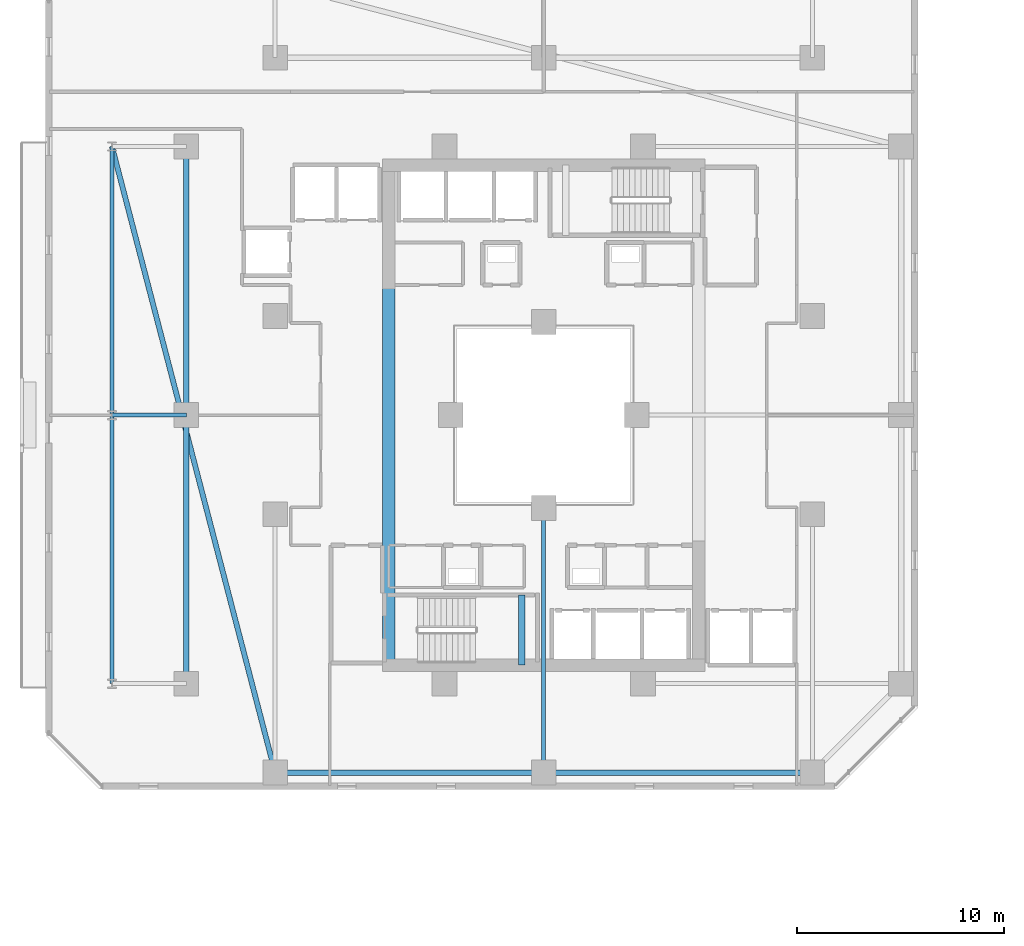
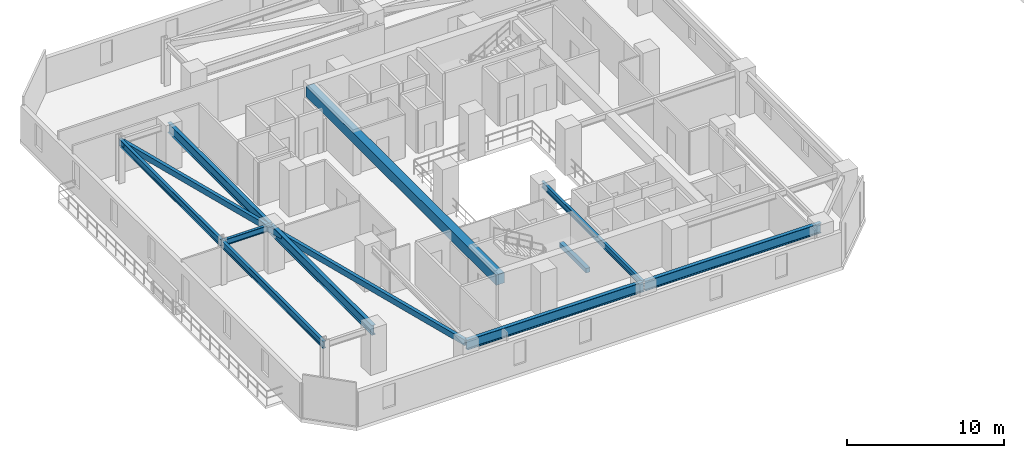
# One storey, part 4 of 33: 11 beams.
"""IFC4 building model written with IfcOpenShell, lengths in metres."""

from ifc_helpers import new_model, si_unit, direction, frame, origin, origin_2d, place, context, subcontext, project, spatial, rectangle, hollow_rectangle, i_section, extrude, material, material_profile, profile_set, type_object, element, save


model = new_model("IFC4")

# Units and contexts
model_context = context("Model", 3, precision=1e-05, world=origin(), true_north=direction((0.0, 1.0)))
body_context = subcontext(model_context, "Body", "Model", "MODEL_VIEW")
ifc_project = project(units=[si_unit("LENGTHUNIT", "METRE"), si_unit("AREAUNIT", "SQUARE_METRE"), si_unit("VOLUMEUNIT", "CUBIC_METRE"), si_unit("PLANEANGLEUNIT", "RADIAN"), si_unit("MASSUNIT", "GRAM", prefix="KILO")], contexts=[model_context])

# Site, building, storey
site_placement = place(None, origin())
site = spatial("IfcSite", under=ifc_project, at=site_placement, CompositionType="ELEMENT")
building_placement = place(site_placement, origin())
building = spatial("IfcBuilding", under=site, at=building_placement, Name="Thornwick Lancets Civic Towers", CompositionType="ELEMENT")
storey_placement = place(building_placement, frame((0.0, 0.0, 101.699951171875)))
storey = spatial("IfcBuildingStorey", under=building, at=storey_placement, Name="L26", CompositionType="ELEMENT", Elevation=101.699951171875)

# Beams
ifc_material_1 = material(Name="Concrete C60/75", Category="concrete")
ifc_material_profile_1 = material_profile(ifc_material_1, rectangle(XDim=0.60009765625, YDim=0.800048828125, at=origin_2d()), Name="RC 600x800")
ifc_profile_set_1 = profile_set([ifc_material_profile_1], Name="Concrete C60/75")
beam_type_1 = type_object("IfcBeamType", Name="BM_COUP_RC800", PredefinedType="BEAM", material=ifc_profile_set_1)
beam_1_placement = place(storey_placement, frame((18.0, 14.89990234375, 2.9599609375), z_axis=(0.0, 1.0, 0.0), x_axis=(-1.0, 0.0, 0.0)))
element("IfcBeam", 1, at=beam_1_placement, inside=storey, type_object=beam_type_1, Name="CB-L26-A2", PredefinedType="BEAM", context=body_context, shape_type="SweptSolid", body=[
    extrude(rectangle(XDim=0.60009765625, YDim=0.800048828125, at=origin_2d()), origin(), (0.0, 0.0, 1.0), 24.2001953125),
])
ifc_material_2 = material(Name="Steel S355JR", Category="steel")
ifc_material_profile_2 = material_profile(ifc_material_2, i_section(OverallWidth=0.2119140625, OverallDepth=0.54443359375, WebThickness=0.0126953125, FlangeThickness=0.021240234375, FilletRadius=0.0126953125, at=origin_2d()), Name="UKB 533x210x122")
ifc_profile_set_2 = profile_set([ifc_material_profile_2], Name="Steel S355JR")
beam_type_2 = type_object("IfcBeamType", Name="BM_EDGE_533_122", PredefinedType="SPANDREL", material=ifc_profile_set_2)
beam_2_placement = place(storey_placement, frame((4.60009765625, 14.0, 3.087890625), z_axis=(0.0, 1.0, 0.0), x_axis=(-1.0, 0.0, 0.0)))
element("IfcBeam", 2, at=beam_2_placement, inside=storey, type_object=beam_type_2, Name="BM-EDGE-L26-A-S3-1", PredefinedType="SPANDREL", context=body_context, shape_type="SweptSolid", body=[
    extrude(i_section(OverallWidth=0.2119140625, OverallDepth=0.54443359375, WebThickness=0.0126953125, FlangeThickness=0.021240234375, FilletRadius=0.0126953125, at=origin_2d()), origin(), (0.0, 0.0, 1.0), 13.0),
])
beam_3_placement = place(storey_placement, frame((4.60009765625, 27.080078125, 3.087890625), z_axis=(0.0, 1.0, 0.0), x_axis=(-1.0, 0.0, 0.0)))
element("IfcBeam", 3, at=beam_3_placement, inside=storey, type_object=beam_type_2, Name="BM-EDGE-L26-A-S3-2", PredefinedType="SPANDREL", context=body_context, shape_type="SweptSolid", body=[
    extrude(i_section(OverallWidth=0.2119140625, OverallDepth=0.54443359375, WebThickness=0.0126953125, FlangeThickness=0.021240234375, FilletRadius=0.0126953125, at=origin_2d()), origin(), (0.0, 0.0, 1.0), 12.919921875),
])
ifc_material_profile_3 = material_profile(ifc_material_2, i_section(OverallWidth=0.26806640625, OverallDepth=0.769775390625, WebThickness=0.015625, FlangeThickness=0.025390625, FilletRadius=0.0166015625, at=origin_2d()), Name="UKB 762x267x197")
ifc_profile_set_3 = profile_set([ifc_material_profile_3], Name="Steel S355JR")
beam_type_3 = type_object("IfcBeamType", Name="BM_GIRD_762_197", PredefinedType="BEAM", material=ifc_profile_set_3)
beam_4_placement = place(storey_placement, frame((12.5, 9.699951171875, 2.97509765625), z_axis=(1.0, 0.0, 0.0), x_axis=(0.0, 1.0, 0.0)))
element("IfcBeam", 4, at=beam_4_placement, inside=storey, type_object=beam_type_3, Name="BM-SPINE-L26-A-0-1", PredefinedType="BEAM", context=body_context, shape_type="SweptSolid", body=[
    extrude(i_section(OverallWidth=0.26806640625, OverallDepth=0.769775390625, WebThickness=0.015625, FlangeThickness=0.025390625, FilletRadius=0.0166015625, at=origin_2d()), origin(), (0.0, 0.0, 1.0), 13.0),
])
beam_5_placement = place(storey_placement, frame((25.580078125, 9.699951171875, 2.97509765625), z_axis=(1.0, 0.0, 0.0), x_axis=(0.0, 1.0, 0.0)))
element("IfcBeam", 5, at=beam_5_placement, inside=storey, type_object=beam_type_3, Name="BM-SPINE-L26-A-1-2", PredefinedType="BEAM", context=body_context, shape_type="SweptSolid", body=[
    extrude(i_section(OverallWidth=0.26806640625, OverallDepth=0.769775390625, WebThickness=0.015625, FlangeThickness=0.025390625, FilletRadius=0.0166015625, at=origin_2d()), origin(), (0.0, 0.0, 1.0), 12.919921875),
])
beam_6_placement = place(storey_placement, frame((8.199951171875, 14.0, 2.97509765625), z_axis=(0.0, 1.0, 0.0), x_axis=(-1.0, 0.0, 0.0)))
element("IfcBeam", 6, at=beam_6_placement, inside=storey, type_object=beam_type_3, Name="BM-SPINE-L26-A-9-10", PredefinedType="BEAM", context=body_context, shape_type="SweptSolid", body=[
    extrude(i_section(OverallWidth=0.26806640625, OverallDepth=0.769775390625, WebThickness=0.015625, FlangeThickness=0.025390625, FilletRadius=0.0166015625, at=origin_2d()), origin(), (0.0, 0.0, 1.0), 13.0),
])
beam_7_placement = place(storey_placement, frame((8.199951171875, 27.080078125, 2.97509765625), z_axis=(0.0, 1.0, 0.0), x_axis=(-1.0, 0.0, 0.0)))
element("IfcBeam", 7, at=beam_7_placement, inside=storey, type_object=beam_type_3, Name="BM-SPINE-L26-A-10-11", PredefinedType="BEAM", context=body_context, shape_type="SweptSolid", body=[
    extrude(i_section(OverallWidth=0.26806640625, OverallDepth=0.769775390625, WebThickness=0.015625, FlangeThickness=0.025390625, FilletRadius=0.0166015625, at=origin_2d()), origin(), (0.0, 0.0, 1.0), 12.919921875),
])
ifc_material_profile_4 = material_profile(ifc_material_2, i_section(OverallWidth=0.19287109375, OverallDepth=0.46728515625, WebThickness=0.011474609375, FlangeThickness=0.01953125, FilletRadius=0.01025390625, at=origin_2d()), Name="UKB 457x191x98")
ifc_profile_set_4 = profile_set([ifc_material_profile_4], Name="Steel S355JR")
beam_type_4 = type_object("IfcBeamType", Name="BM_JOIST_457_98", PredefinedType="JOIST", material=ifc_profile_set_4)
beam_8_placement = place(storey_placement, frame((25.5, 22.5, 3.12646484375), z_axis=(0.0, -1.0, 0.0), x_axis=(1.0, 0.0, 0.0)))
element("IfcBeam", 8, at=beam_8_placement, inside=storey, type_object=beam_type_4, Name="BM-RADIN-L26-A02", PredefinedType="JOIST", context=body_context, shape_type="SweptSolid", body=[
    extrude(i_section(OverallWidth=0.19287109375, OverallDepth=0.46728515625, WebThickness=0.011474609375, FlangeThickness=0.01953125, FilletRadius=0.01025390625, at=origin_2d()), origin(), (0.0, 0.0, 1.0), 12.800048828125),
])
beam_9_placement = place(storey_placement, frame((8.199951171875, 27.0, 3.12646484375), z_axis=(-1.0, 0.0, 0.0), x_axis=(0.0, -1.0, 0.0)))
element("IfcBeam", 9, at=beam_9_placement, inside=storey, type_object=beam_type_4, Name="BM-RAD-L26-A11", PredefinedType="JOIST", context=body_context, shape_type="SweptSolid", body=[
    extrude(i_section(OverallWidth=0.19287109375, OverallDepth=0.46728515625, WebThickness=0.011474609375, FlangeThickness=0.01953125, FilletRadius=0.01025390625, at=origin_2d()), origin(), (0.0, 0.0, 1.0), 3.599853515625),
])
ifc_material_profile_5 = material_profile(ifc_material_2, hollow_rectangle(XDim=0.25, YDim=0.449951171875, WallThickness=0.01611328125, at=origin_2d()), Name="RHS 450x250x16")
ifc_profile_set_5 = profile_set([ifc_material_profile_5], Name="Steel S355JR")
beam_type_5 = type_object("IfcBeamType", Name="BM_RING_RHS450", PredefinedType="BEAM", material=ifc_profile_set_5)
beam_10_placement = place(storey_placement, frame((4.60009765625, 40.0, 3.135009765625), z_axis=(0.252288590311, -0.967652038286, 0.0), x_axis=(0.967652038286, 0.252288590311, 0.0)))
element("IfcBeam", 10, at=beam_10_placement, inside=storey, type_object=beam_type_5, Name="BM-CHAMF-L26-A-C3", PredefinedType="BEAM", context=body_context, shape_type="SweptSolid", body=[
    extrude(hollow_rectangle(XDim=0.25, YDim=0.449951171875, WallThickness=0.01611328125, at=origin_2d()), origin(), (0.0, 0.0, 1.0), 31.31298828125),
])
ifc_material_3 = material(Name="Concrete C40/50", Category="concrete")
ifc_material_profile_6 = material_profile(ifc_material_3, rectangle(XDim=0.300048828125, YDim=0.35009765625, at=origin_2d()), Name="RC 300x350")
ifc_profile_set_6 = profile_set([ifc_material_profile_6], Name="Concrete C40/50")
beam_type_6 = type_object("IfcBeamType", Name="BM_STAIR_LDG", PredefinedType="BEAM", material=ifc_profile_set_6)
beam_11_placement = place(storey_placement, frame((24.43505859375, 14.89990234375, 1.3779296875), z_axis=(0.0, 1.0, 0.0), x_axis=(-1.0, 0.0, 0.0)))
element("IfcBeam", 11, at=beam_11_placement, inside=storey, type_object=beam_type_6, Name="L26 ST-A1 Landing Support Beam 1", PredefinedType="BEAM", context=body_context, shape_type="SweptSolid", body=[
    extrude(rectangle(XDim=0.300048828125, YDim=0.35009765625, at=origin_2d()), origin(), (0.0, 0.0, 1.0), 3.400146484375),
])

save(model, "model.ifc")
